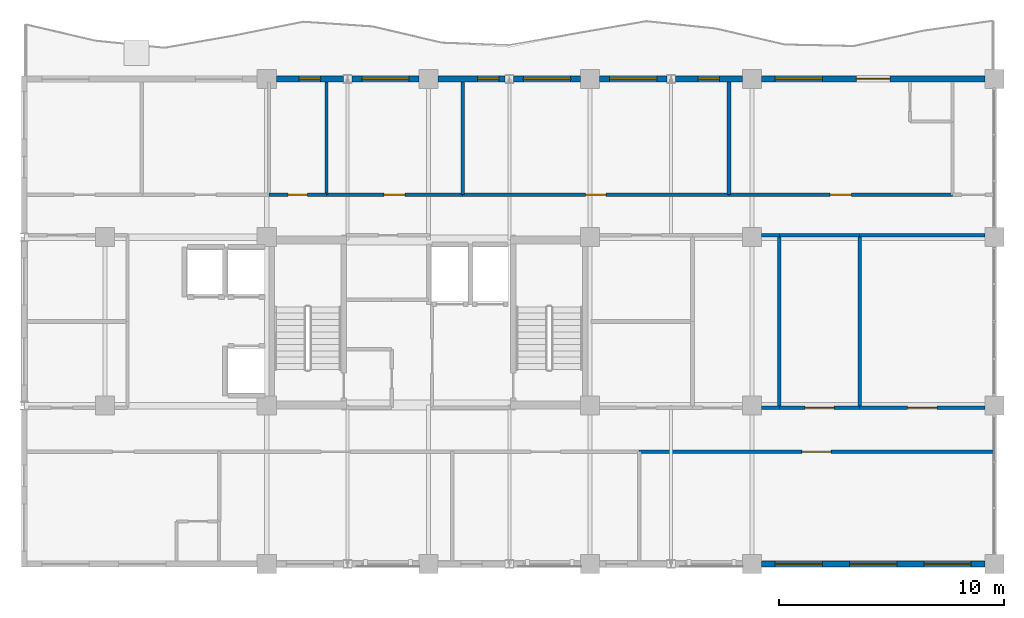
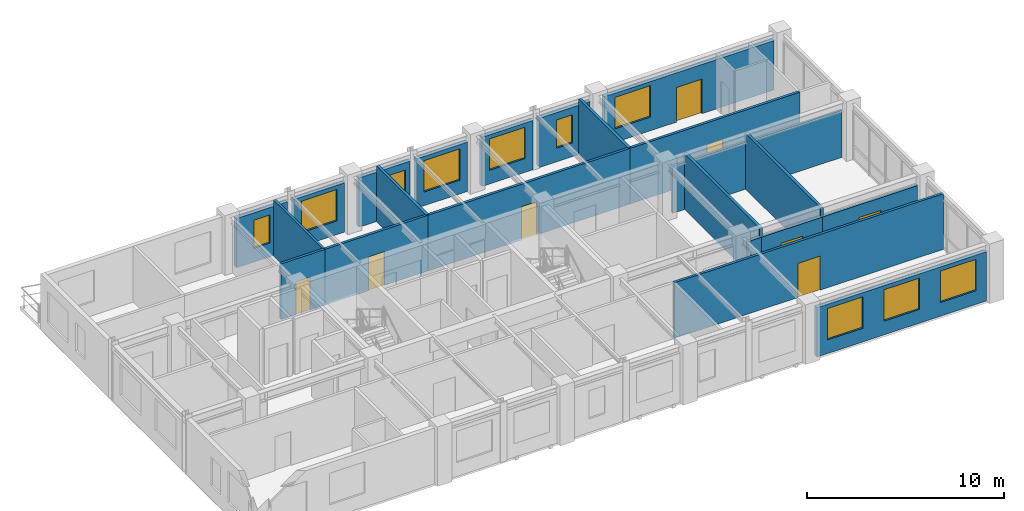
# One storey, part 8 of 11: 24 walls, 10 windows, 8 doors, 18 openings.
"""IFC4 building model written with IfcOpenShell, lengths in metres."""

from ifc_helpers import new_model, si_unit, direction, frame, frame_2d, origin, place, context, subcontext, project, spatial, rectangle, extrude, material, layer, layer_set, type_object, element, fill, save


model = new_model("IFC4")

# Units and contexts
model_context = context("Model", 3, precision=1e-05, world=origin(), true_north=direction((0.0, 1.0)))
body_context = subcontext(model_context, "Body", "Model", "MODEL_VIEW")
ifc_project = project(units=[si_unit("LENGTHUNIT", "METRE"), si_unit("AREAUNIT", "SQUARE_METRE"), si_unit("VOLUMEUNIT", "CUBIC_METRE"), si_unit("PLANEANGLEUNIT", "RADIAN"), si_unit("MASSUNIT", "GRAM", prefix="KILO")], contexts=[model_context])

# Site, building, storey
site_placement = place(None, origin())
site = spatial("IfcSite", under=ifc_project, at=site_placement, CompositionType="ELEMENT")
building_placement = place(site_placement, origin())
building = spatial("IfcBuilding", under=site, at=building_placement, Name="Kaliganga Portal Commons", CompositionType="ELEMENT")
storey_placement = place(building_placement, frame((0.0, 0.0, 257.300048828125)))
storey = spatial("IfcBuildingStorey", under=building, at=storey_placement, Name="L66", CompositionType="ELEMENT", Elevation=257.300048828125)

# Wall, openings, windows
ifc_material_1 = material(Name="Insulated Aluminium-Clad Spandrel Assembly", Category="aluminium")
ifc_layer_1 = layer(ifc_material_1, 0.260009765625)
ifc_layer_set_1 = layer_set([ifc_layer_1], Name="Insulated Aluminium-Clad Spandrel Assembly")
wall_type_1 = type_object("IfcWallType", Name="WL-EXT-SPAND-260", PredefinedType="STANDARD", material=ifc_layer_set_1)
wall_1_placement = place(storey_placement, frame((46.3740234375, 21.60009765625, 0.0), z_axis=(0.0, 0.0, 1.0), x_axis=(-1.0, 0.0, 0.0)))
wall_1 = element("IfcWall", 1, at=wall_1_placement, inside=storey, type_object=wall_type_1, Name="Exterior Envelope Wall L66 P1-E00-S8", PredefinedType="STANDARD", context=body_context, shape_type="SweptSolid", body=[
    extrude(rectangle(XDim=9.947998046875, YDim=0.260009765625, at=frame_2d((4.97412109375, 0.0))), origin(), (0.0, 0.0, 1.0), 3.054931640625),
])
opening_1_placement = place(wall_1_placement, frame((0.60791015625, 0.0, 0.85009765625)))
opening_1 = element("IfcOpeningElement", 2, at=opening_1_placement, cuts=wall_1, Name="Opening W-06", PredefinedType="OPENING", context=body_context, shape_type="SweptSolid", body=[
    extrude(rectangle(XDim=2.10009765625, YDim=1.949951171875, at=frame_2d((1.050048828125, 0.97509765625))), frame((0.0, 0.14013671875, 0.0), z_axis=(0.0, -1.0, 0.0), x_axis=(1.0, 0.0, 0.0)), (0.0, 0.0, 1.0), 0.280029296875),
])
opening_2_placement = place(wall_1_placement, frame((3.924072265625, 0.0, 0.85009765625)))
opening_2 = element("IfcOpeningElement", 3, at=opening_2_placement, cuts=wall_1, Name="Opening W-06", PredefinedType="OPENING", context=body_context, shape_type="SweptSolid", body=[
    extrude(rectangle(XDim=2.10009765625, YDim=1.949951171875, at=frame_2d((1.050048828125, 0.97509765625))), frame((0.0, 0.14013671875, 0.0), z_axis=(0.0, -1.0, 0.0), x_axis=(1.0, 0.0, 0.0)), (0.0, 0.0, 1.0), 0.280029296875),
])
opening_3_placement = place(wall_1_placement, frame((7.239990234375, 0.0, 0.85009765625)))
opening_3 = element("IfcOpeningElement", 4, at=opening_3_placement, cuts=wall_1, Name="Opening W-06", PredefinedType="OPENING", context=body_context, shape_type="SweptSolid", body=[
    extrude(rectangle(XDim=2.10009765625, YDim=1.949951171875, at=frame_2d((1.050048828125, 0.97509765625))), frame((0.0, 0.14013671875, 0.0), z_axis=(0.0, -1.0, 0.0), x_axis=(1.0, 0.0, 0.0)), (0.0, 0.0, 1.0), 0.280029296875),
])
ifc_material_2 = material(Name="Thermally Broken Aluminium and Low-E Double Glazing", Category="aluminium")
window_type_1 = type_object("IfcWindowType", Name="WIN-PAN-2100", PartitioningType="DOUBLE_PANEL_VERTICAL", PredefinedType="WINDOW", material=ifc_material_2)
window_1_placement = place(opening_1_placement, origin())
window_1 = element("IfcWindow", 5, at=window_1_placement, inside=storey, type_object=window_type_1, Name="Facade Window L66-P1E00S8-00", OverallHeight=1.949951171875, OverallWidth=2.10009765625, PartitioningType="SINGLE_PANEL", PredefinedType="WINDOW", context=body_context, shape_type="SweptSolid", body=[
    extrude(rectangle(XDim=2.10009765625, YDim=1.949951171875, at=frame_2d((1.050048828125, 0.97509765625))), frame((0.0, 0.030029296875, 0.0), z_axis=(0.0, -1.0, 0.0), x_axis=(1.0, 0.0, 0.0)), (0.0, 0.0, 1.0), 0.06005859375),
])
fill(opening_1, window_1)
window_2_placement = place(opening_2_placement, origin())
window_2 = element("IfcWindow", 6, at=window_2_placement, inside=storey, type_object=window_type_1, Name="Facade Window L66-P1E00S8-01", OverallHeight=1.949951171875, OverallWidth=2.10009765625, PartitioningType="SINGLE_PANEL", PredefinedType="WINDOW", context=body_context, shape_type="SweptSolid", body=[
    extrude(rectangle(XDim=2.10009765625, YDim=1.949951171875, at=frame_2d((1.050048828125, 0.97509765625))), frame((0.0, 0.030029296875, 0.0), z_axis=(0.0, -1.0, 0.0), x_axis=(1.0, 0.0, 0.0)), (0.0, 0.0, 1.0), 0.06005859375),
])
fill(opening_2, window_2)
window_3_placement = place(opening_3_placement, origin())
window_3 = element("IfcWindow", 7, at=window_3_placement, inside=storey, type_object=window_type_1, Name="Facade Window L66-P1E00S8-02", OverallHeight=1.949951171875, OverallWidth=2.10009765625, PartitioningType="SINGLE_PANEL", PredefinedType="WINDOW", context=body_context, shape_type="SweptSolid", body=[
    extrude(rectangle(XDim=2.10009765625, YDim=1.949951171875, at=frame_2d((1.050048828125, 0.97509765625))), frame((0.0, 0.030029296875, 0.0), z_axis=(0.0, -1.0, 0.0), x_axis=(1.0, 0.0, 0.0)), (0.0, 0.0, 1.0), 0.06005859375),
])
fill(opening_3, window_3)

# Wall, openings, door, window
wall_2_placement = place(storey_placement, frame((36.426025390625, 43.199951171875, 0.0), z_axis=(0.0, 0.0, 1.0), x_axis=(1.0, 0.0, 0.0)))
wall_2 = element("IfcWall", 8, at=wall_2_placement, inside=storey, type_object=wall_type_1, Name="Exterior Envelope Wall L66 P1-E02-S1", PredefinedType="STANDARD", context=body_context, shape_type="SweptSolid", body=[
    extrude(rectangle(XDim=9.947998046875, YDim=0.260009765625, at=frame_2d((4.97412109375, 0.0))), origin(), (0.0, 0.0, 1.0), 3.054931640625),
])
opening_4_placement = place(wall_2_placement, frame((4.22412109375, 0.0, 0.0)))
opening_4 = element("IfcOpeningElement", 9, at=opening_4_placement, cuts=wall_2, Name="Opening BD-01", PredefinedType="OPENING", context=body_context, shape_type="SweptSolid", body=[
    extrude(rectangle(XDim=1.5, YDim=2.14990234375, at=frame_2d((0.75, 1.074951171875))), frame((0.0, 0.14013671875, 0.0), z_axis=(0.0, -1.0, 0.0), x_axis=(1.0, 0.0, 0.0)), (0.0, 0.0, 1.0), 0.280029296875),
])
opening_5_placement = place(wall_2_placement, frame((0.60791015625, 0.0, 0.85009765625)))
opening_5 = element("IfcOpeningElement", 10, at=opening_5_placement, cuts=wall_2, Name="Opening W-06", PredefinedType="OPENING", context=body_context, shape_type="SweptSolid", body=[
    extrude(rectangle(XDim=2.10009765625, YDim=1.949951171875, at=frame_2d((1.050048828125, 0.97509765625))), frame((0.0, 0.14013671875, 0.0), z_axis=(0.0, -1.0, 0.0), x_axis=(1.0, 0.0, 0.0)), (0.0, 0.0, 1.0), 0.280029296875),
])
ifc_material_3 = material(Name="Anodized Aluminium and Laminated Safety Glass", Category="aluminium")
door_type_1 = type_object("IfcDoorType", Name="DR-BALC-1500", OperationType="SLIDING_TO_LEFT", PredefinedType="DOOR", material=ifc_material_3)
door_1_placement = place(opening_4_placement, origin())
door_1 = element("IfcDoor", 11, at=door_1_placement, inside=storey, type_object=door_type_1, Name="Balcony Sliding Door L66 balc_north", OperationType="SLIDING_TO_LEFT", OverallHeight=2.14990234375, OverallWidth=1.5, PredefinedType="DOOR", context=body_context, shape_type="SweptSolid", body=[
    extrude(rectangle(XDim=1.5, YDim=2.14990234375, at=frame_2d((0.75, 1.074951171875))), frame((0.0, 0.02490234375, 0.0), z_axis=(0.0, -1.0, 0.0), x_axis=(1.0, 0.0, 0.0)), (0.0, 0.0, 1.0), 0.050048828125),
])
fill(opening_4, door_1)
window_4_placement = place(opening_5_placement, origin())
window_4 = element("IfcWindow", 12, at=window_4_placement, inside=storey, type_object=window_type_1, Name="Facade Window L66-P1E02S1-00", OverallHeight=1.949951171875, OverallWidth=2.10009765625, PartitioningType="SINGLE_PANEL", PredefinedType="WINDOW", context=body_context, shape_type="SweptSolid", body=[
    extrude(rectangle(XDim=2.10009765625, YDim=1.949951171875, at=frame_2d((1.050048828125, 0.97509765625))), frame((0.0, 0.030029296875, 0.0), z_axis=(0.0, -1.0, 0.0), x_axis=(1.0, 0.0, 0.0)), (0.0, 0.0, 1.0), 0.06005859375),
])
fill(opening_5, window_4)

# Wall, opening, window
wall_3_placement = place(storey_placement, frame((32.587890625, 43.199951171875, 0.0), z_axis=(0.0, 0.0, 1.0), x_axis=(1.0, 0.0, 0.0)))
wall_3 = element("IfcWall", 13, at=wall_3_placement, inside=storey, type_object=wall_type_1, Name="Exterior Envelope Wall L66 P1-E02-S2", PredefinedType="STANDARD", context=body_context, shape_type="SweptSolid", body=[
    extrude(rectangle(XDim=2.986083984375, YDim=0.260009765625, at=frame_2d((1.4931640625, 0.0))), origin(), (0.0, 0.0, 1.0), 3.054931640625),
])
opening_6_placement = place(wall_3_placement, frame((1.01806640625, 0.0, 0.85009765625)))
opening_6 = element("IfcOpeningElement", 14, at=opening_6_placement, cuts=wall_3, Name="Opening W-04", PredefinedType="OPENING", context=body_context, shape_type="SweptSolid", body=[
    extrude(rectangle(XDim=0.949951171875, YDim=1.75, at=frame_2d((0.47509765625, 0.875))), frame((0.0, 0.14013671875, 0.0), z_axis=(0.0, -1.0, 0.0), x_axis=(1.0, 0.0, 0.0)), (0.0, 0.0, 1.0), 0.280029296875),
])
window_type_2 = type_object("IfcWindowType", Name="WIN-NARROW-950", PartitioningType="SINGLE_PANEL", PredefinedType="WINDOW", material=ifc_material_2)
window_5_placement = place(opening_6_placement, origin())
window_5 = element("IfcWindow", 15, at=window_5_placement, inside=storey, type_object=window_type_2, Name="Facade Window L66-P1E02S2-N0", OverallHeight=1.75, OverallWidth=0.949951171875, PartitioningType="SINGLE_PANEL", PredefinedType="WINDOW", context=body_context, shape_type="SweptSolid", body=[
    extrude(rectangle(XDim=0.949951171875, YDim=1.75, at=frame_2d((0.47509765625, 0.875))), frame((0.0, 0.030029296875, 0.0), z_axis=(0.0, -1.0, 0.0), x_axis=(1.0, 0.0, 0.0)), (0.0, 0.0, 1.0), 0.06005859375),
])
fill(opening_6, window_5)

wall_4_placement = place(storey_placement, frame((29.22607421875, 43.199951171875, 0.0), z_axis=(0.0, 0.0, 1.0), x_axis=(1.0, 0.0, 0.0)))
wall_4 = element("IfcWall", 16, at=wall_4_placement, inside=storey, type_object=wall_type_1, Name="Exterior Envelope Wall L66 P1-E02-S3", PredefinedType="STANDARD", context=body_context, shape_type="SweptSolid", body=[
    extrude(rectangle(XDim=2.98583984375, YDim=0.260009765625, at=frame_2d((1.492919921875, 0.0))), origin(), (0.0, 0.0, 1.0), 3.054931640625),
])
opening_7_placement = place(wall_4_placement, frame((0.443115234375, 0.0, 0.85009765625)))
opening_7 = element("IfcOpeningElement", 17, at=opening_7_placement, cuts=wall_4, Name="Opening W-06", PredefinedType="OPENING", context=body_context, shape_type="SweptSolid", body=[
    extrude(rectangle(XDim=2.10009765625, YDim=1.949951171875, at=frame_2d((1.050048828125, 0.97509765625))), frame((0.0, 0.14013671875, 0.0), z_axis=(0.0, -1.0, 0.0), x_axis=(1.0, 0.0, 0.0)), (0.0, 0.0, 1.0), 0.280029296875),
])
window_6_placement = place(opening_7_placement, origin())
window_6 = element("IfcWindow", 18, at=window_6_placement, inside=storey, type_object=window_type_1, Name="Facade Window L66-P1E02S3-00", OverallHeight=1.949951171875, OverallWidth=2.10009765625, PartitioningType="SINGLE_PANEL", PredefinedType="WINDOW", context=body_context, shape_type="SweptSolid", body=[
    extrude(rectangle(XDim=2.10009765625, YDim=1.949951171875, at=frame_2d((1.050048828125, 0.97509765625))), frame((0.0, 0.030029296875, 0.0), z_axis=(0.0, -1.0, 0.0), x_axis=(1.0, 0.0, 0.0)), (0.0, 0.0, 1.0), 0.06005859375),
])
fill(opening_7, window_6)

wall_5_placement = place(storey_placement, frame((25.387939453125, 43.199951171875, 0.0), z_axis=(0.0, 0.0, 1.0), x_axis=(1.0, 0.0, 0.0)))
wall_5 = element("IfcWall", 19, at=wall_5_placement, inside=storey, type_object=wall_type_1, Name="Exterior Envelope Wall L66 P1-E02-S4", PredefinedType="STANDARD", context=body_context, shape_type="SweptSolid", body=[
    extrude(rectangle(XDim=2.986083984375, YDim=0.260009765625, at=frame_2d((1.4931640625, 0.0))), origin(), (0.0, 0.0, 1.0), 3.054931640625),
])
opening_8_placement = place(wall_5_placement, frame((0.443115234375, 0.0, 0.85009765625)))
opening_8 = element("IfcOpeningElement", 20, at=opening_8_placement, cuts=wall_5, Name="Opening W-06", PredefinedType="OPENING", context=body_context, shape_type="SweptSolid", body=[
    extrude(rectangle(XDim=2.10009765625, YDim=1.949951171875, at=frame_2d((1.050048828125, 0.97509765625))), frame((0.0, 0.14013671875, 0.0), z_axis=(0.0, -1.0, 0.0), x_axis=(1.0, 0.0, 0.0)), (0.0, 0.0, 1.0), 0.280029296875),
])
window_7_placement = place(opening_8_placement, origin())
window_7 = element("IfcWindow", 21, at=window_7_placement, inside=storey, type_object=window_type_1, Name="Facade Window L66-P1E02S4-00", OverallHeight=1.949951171875, OverallWidth=2.10009765625, PartitioningType="SINGLE_PANEL", PredefinedType="WINDOW", context=body_context, shape_type="SweptSolid", body=[
    extrude(rectangle(XDim=2.10009765625, YDim=1.949951171875, at=frame_2d((1.050048828125, 0.97509765625))), frame((0.0, 0.030029296875, 0.0), z_axis=(0.0, -1.0, 0.0), x_axis=(1.0, 0.0, 0.0)), (0.0, 0.0, 1.0), 0.06005859375),
])
fill(opening_8, window_7)

wall_6_placement = place(storey_placement, frame((22.02587890625, 43.199951171875, 0.0), z_axis=(0.0, 0.0, 1.0), x_axis=(1.0, 0.0, 0.0)))
wall_6 = element("IfcWall", 22, at=wall_6_placement, inside=storey, type_object=wall_type_1, Name="Exterior Envelope Wall L66 P1-E02-S5", PredefinedType="STANDARD", context=body_context, shape_type="SweptSolid", body=[
    extrude(rectangle(XDim=2.986083984375, YDim=0.260009765625, at=frame_2d((1.4931640625, 0.0))), origin(), (0.0, 0.0, 1.0), 3.054931640625),
])
opening_9_placement = place(wall_6_placement, frame((1.758544921875, 0.0, 0.85009765625)))
opening_9 = element("IfcOpeningElement", 23, at=opening_9_placement, cuts=wall_6, Name="Opening W-04", PredefinedType="OPENING", context=body_context, shape_type="SweptSolid", body=[
    extrude(rectangle(XDim=0.949951171875, YDim=1.75, at=frame_2d((0.47509765625, 0.875))), frame((0.0, 0.14013671875, 0.0), z_axis=(0.0, -1.0, 0.0), x_axis=(1.0, 0.0, 0.0)), (0.0, 0.0, 1.0), 0.280029296875),
])
window_8_placement = place(opening_9_placement, origin())
window_8 = element("IfcWindow", 24, at=window_8_placement, inside=storey, type_object=window_type_2, Name="Facade Window L66-P1E02S5-N2", OverallHeight=1.75, OverallWidth=0.949951171875, PartitioningType="SINGLE_PANEL", PredefinedType="WINDOW", context=body_context, shape_type="SweptSolid", body=[
    extrude(rectangle(XDim=0.949951171875, YDim=1.75, at=frame_2d((0.47509765625, 0.875))), frame((0.0, 0.030029296875, 0.0), z_axis=(0.0, -1.0, 0.0), x_axis=(1.0, 0.0, 0.0)), (0.0, 0.0, 1.0), 0.06005859375),
])
fill(opening_9, window_8)

wall_7_placement = place(storey_placement, frame((18.18798828125, 43.199951171875, 0.0), z_axis=(0.0, 0.0, 1.0), x_axis=(1.0, 0.0, 0.0)))
wall_7 = element("IfcWall", 25, at=wall_7_placement, inside=storey, type_object=wall_type_1, Name="Exterior Envelope Wall L66 P1-E02-S6", PredefinedType="STANDARD", context=body_context, shape_type="SweptSolid", body=[
    extrude(rectangle(XDim=2.986083984375, YDim=0.260009765625, at=frame_2d((1.4931640625, 0.0))), origin(), (0.0, 0.0, 1.0), 3.054931640625),
])
opening_10_placement = place(wall_7_placement, frame((0.443115234375, 0.0, 0.85009765625)))
opening_10 = element("IfcOpeningElement", 26, at=opening_10_placement, cuts=wall_7, Name="Opening W-06", PredefinedType="OPENING", context=body_context, shape_type="SweptSolid", body=[
    extrude(rectangle(XDim=2.10009765625, YDim=1.949951171875, at=frame_2d((1.050048828125, 0.97509765625))), frame((0.0, 0.14013671875, 0.0), z_axis=(0.0, -1.0, 0.0), x_axis=(1.0, 0.0, 0.0)), (0.0, 0.0, 1.0), 0.280029296875),
])
window_9_placement = place(opening_10_placement, origin())
window_9 = element("IfcWindow", 27, at=window_9_placement, inside=storey, type_object=window_type_1, Name="Facade Window L66-P1E02S6-00", OverallHeight=1.949951171875, OverallWidth=2.10009765625, PartitioningType="SINGLE_PANEL", PredefinedType="WINDOW", context=body_context, shape_type="SweptSolid", body=[
    extrude(rectangle(XDim=2.10009765625, YDim=1.949951171875, at=frame_2d((1.050048828125, 0.97509765625))), frame((0.0, 0.030029296875, 0.0), z_axis=(0.0, -1.0, 0.0), x_axis=(1.0, 0.0, 0.0)), (0.0, 0.0, 1.0), 0.06005859375),
])
fill(opening_10, window_9)

wall_8_placement = place(storey_placement, frame((14.825927734375, 43.199951171875, 0.0), z_axis=(0.0, 0.0, 1.0), x_axis=(1.0, 0.0, 0.0)))
wall_8 = element("IfcWall", 28, at=wall_8_placement, inside=storey, type_object=wall_type_1, Name="Exterior Envelope Wall L66 P1-E02-S7", PredefinedType="STANDARD", context=body_context, shape_type="SweptSolid", body=[
    extrude(rectangle(XDim=2.986083984375, YDim=0.260009765625, at=frame_2d((1.4931640625, 0.0))), origin(), (0.0, 0.0, 1.0), 3.054931640625),
])
opening_11_placement = place(wall_8_placement, frame((1.01806640625, 0.0, 0.85009765625)))
opening_11 = element("IfcOpeningElement", 29, at=opening_11_placement, cuts=wall_8, Name="Opening W-04", PredefinedType="OPENING", context=body_context, shape_type="SweptSolid", body=[
    extrude(rectangle(XDim=0.949951171875, YDim=1.75, at=frame_2d((0.47509765625, 0.875))), frame((0.0, 0.14013671875, 0.0), z_axis=(0.0, -1.0, 0.0), x_axis=(1.0, 0.0, 0.0)), (0.0, 0.0, 1.0), 0.280029296875),
])
window_10_placement = place(opening_11_placement, origin())
window_10 = element("IfcWindow", 30, at=window_10_placement, inside=storey, type_object=window_type_2, Name="Facade Window L66-P1E02S7-N0", OverallHeight=1.75, OverallWidth=0.949951171875, PartitioningType="SINGLE_PANEL", PredefinedType="WINDOW", context=body_context, shape_type="SweptSolid", body=[
    extrude(rectangle(XDim=0.949951171875, YDim=1.75, at=frame_2d((0.47509765625, 0.875))), frame((0.0, 0.030029296875, 0.0), z_axis=(0.0, -1.0, 0.0), x_axis=(1.0, 0.0, 0.0)), (0.0, 0.0, 1.0), 0.06005859375),
])
fill(opening_11, window_10)

# Wall, opening, door
ifc_material_4 = material(Name="Fire-Rated Gypsum Board on Steel Stud", Category="steel")
ifc_layer_2 = layer(ifc_material_4, 0.14990234375)
ifc_layer_set_2 = layer_set([ifc_layer_2], Name="Fire-Rated Gypsum Board on Steel Stud")
wall_type_2 = type_object("IfcWallType", Name="WL-PART-CORR-150", PredefinedType="PARTITIONING", material=ifc_layer_set_2)
wall_9_placement = place(storey_placement, frame((30.97998046875, 26.60009765625, 0.0), z_axis=(0.0, 0.0, 1.0), x_axis=(1.0, 0.0, 0.0)))
wall_9 = element("IfcWall", 31, at=wall_9_placement, inside=storey, type_object=wall_type_2, Name="Interior Partition L66-007", PredefinedType="PARTITIONING", context=body_context, shape_type="SweptSolid", body=[
    extrude(rectangle(XDim=15.800048828125, YDim=0.14990234375, at=frame_2d((7.89990234375, 0.0))), origin(), (0.0, 0.0, 1.0), 3.454833984375),
])
opening_12_placement = place(wall_9_placement, frame((7.25, 0.0, 0.0)))
opening_12 = element("IfcOpeningElement", 32, at=opening_12_placement, cuts=wall_9, Name="Opening RD-03", PredefinedType="OPENING", context=body_context, shape_type="SweptSolid", body=[
    extrude(rectangle(XDim=1.300048828125, YDim=2.1201171875, at=frame_2d((0.64990234375, 1.06005859375))), frame((0.0, 0.0849609375, 0.0), z_axis=(0.0, -1.0, 0.0), x_axis=(1.0, 0.0, 0.0)), (0.0, 0.0, 1.0), 0.169921875),
])
ifc_material_5 = material(Name="Glazed Timber Seminar Vision Door", Category="wood")
door_type_2 = type_object("IfcDoorType", Name="DR-STUDY-1300", OperationType="DOUBLE_DOOR_SINGLE_SWING", PredefinedType="DOOR", material=ifc_material_5)
door_2_placement = place(opening_12_placement, origin())
door_2 = element("IfcDoor", 33, at=door_2_placement, inside=storey, type_object=door_type_2, Name="Interior Door L66-AS04", OperationType="DOUBLE_DOOR_SINGLE_SWING", OverallHeight=2.1201171875, OverallWidth=1.300048828125, PredefinedType="DOOR", context=body_context, shape_type="SweptSolid", body=[
    extrude(rectangle(XDim=1.300048828125, YDim=2.1201171875, at=frame_2d((0.64990234375, 1.06005859375))), frame((0.0, 0.02490234375, 0.0), z_axis=(0.0, -1.0, 0.0), x_axis=(1.0, 0.0, 0.0)), (0.0, 0.0, 1.0), 0.050048828125),
])
fill(opening_12, door_2)

wall_10_placement = place(storey_placement, frame((23.1201171875, 38.0400390625, 0.0), z_axis=(0.0, 0.0, 1.0), x_axis=(1.0, 0.0, 0.0)))
wall_10 = element("IfcWall", 34, at=wall_10_placement, inside=storey, type_object=wall_type_2, Name="Interior Partition L66-008", PredefinedType="PARTITIONING", context=body_context, shape_type="SweptSolid", body=[
    extrude(rectangle(XDim=11.85986328125, YDim=0.14990234375, at=frame_2d((5.929931640625, 0.0))), origin(), (0.0, 0.0, 1.0), 3.454833984375),
])
opening_13_placement = place(wall_10_placement, frame((5.47998046875, 0.0, 0.0)))
opening_13 = element("IfcOpeningElement", 35, at=opening_13_placement, cuts=wall_10, Name="Opening RD-01", PredefinedType="OPENING", context=body_context, shape_type="SweptSolid", body=[
    extrude(rectangle(XDim=0.89990234375, YDim=2.080078125, at=frame_2d((0.449951171875, 1.0400390625))), frame((0.0, 0.0849609375, 0.0), z_axis=(0.0, -1.0, 0.0), x_axis=(1.0, 0.0, 0.0)), (0.0, 0.0, 1.0), 0.169921875),
])
ifc_material_6 = material(Name="Engineered Timber Flush Door", Category="wood")
door_type_3 = type_object("IfcDoorType", Name="DR-ROOM-900", OperationType="NOTDEFINED", PredefinedType="DOOR", material=ifc_material_6)
door_3_placement = place(opening_13_placement, origin())
door_3 = element("IfcDoor", 36, at=door_3_placement, inside=storey, type_object=door_type_3, Name="Interior Door L66-AN05", OperationType="SINGLE_SWING_RIGHT", OverallHeight=2.080078125, OverallWidth=0.89990234375, PredefinedType="DOOR", context=body_context, shape_type="SweptSolid", body=[
    extrude(rectangle(XDim=0.89990234375, YDim=2.080078125, at=frame_2d((0.449951171875, 1.0400390625))), frame((0.0, 0.02490234375, 0.0), z_axis=(0.0, -1.0, 0.0), x_axis=(1.0, 0.0, 0.0)), (0.0, 0.0, 1.0), 0.050048828125),
])
fill(opening_13, door_3)

wall_11_placement = place(storey_placement, frame((34.97998046875, 38.0400390625, 0.0), z_axis=(0.0, 0.0, 1.0), x_axis=(1.0, 0.0, 0.0)))
wall_11 = element("IfcWall", 37, at=wall_11_placement, inside=storey, type_object=wall_type_2, Name="Interior Partition L66-010", PredefinedType="PARTITIONING", context=body_context, shape_type="SweptSolid", body=[
    extrude(rectangle(XDim=9.9599609375, YDim=0.14990234375, at=frame_2d((4.97998046875, 0.0))), origin(), (0.0, 0.0, 1.0), 3.454833984375),
])
opening_14_placement = place(wall_11_placement, frame((4.5048828125, 0.0, 0.0)))
opening_14 = element("IfcOpeningElement", 38, at=opening_14_placement, cuts=wall_11, Name="Opening UD-01", PredefinedType="OPENING", context=body_context, shape_type="SweptSolid", body=[
    extrude(rectangle(XDim=0.949951171875, YDim=2.10009765625, at=frame_2d((0.47509765625, 1.050048828125))), frame((0.0, 0.0849609375, 0.0), z_axis=(0.0, -1.0, 0.0), x_axis=(1.0, 0.0, 0.0)), (0.0, 0.0, 1.0), 0.169921875),
])
ifc_material_7 = material(Name="Solid-Core Timber Acoustic Fire Door", Category="wood")
door_type_4 = type_object("IfcDoorType", Name="DR-UNIT-950", OperationType="NOTDEFINED", PredefinedType="DOOR", material=ifc_material_7)
door_4_placement = place(opening_14_placement, origin())
door_4 = element("IfcDoor", 39, at=door_4_placement, inside=storey, type_object=door_type_4, Name="Interior Door L66-AN06", OperationType="SINGLE_SWING_RIGHT", OverallHeight=2.10009765625, OverallWidth=0.949951171875, PredefinedType="DOOR", context=body_context, shape_type="SweptSolid", body=[
    extrude(rectangle(XDim=0.949951171875, YDim=2.10009765625, at=frame_2d((0.47509765625, 1.050048828125))), frame((0.0, 0.02490234375, 0.0), z_axis=(0.0, -1.0, 0.0), x_axis=(1.0, 0.0, 0.0)), (0.0, 0.0, 1.0), 0.050048828125),
])
fill(opening_14, door_4)

wall_12_placement = place(storey_placement, frame((17.06005859375, 38.0400390625, 0.0), z_axis=(0.0, 0.0, 1.0), x_axis=(1.0, 0.0, 0.0)))
wall_12 = element("IfcWall", 40, at=wall_12_placement, inside=storey, type_object=wall_type_2, Name="Interior Partition L66-013", PredefinedType="PARTITIONING", context=body_context, shape_type="SweptSolid", body=[
    extrude(rectangle(XDim=6.06005859375, YDim=0.14990234375, at=frame_2d((3.030029296875, 0.0))), origin(), (0.0, 0.0, 1.0), 3.454833984375),
])
opening_15_placement = place(wall_12_placement, frame((2.554931640625, 0.0, 0.0)))
opening_15 = element("IfcOpeningElement", 41, at=opening_15_placement, cuts=wall_12, Name="Opening UD-01", PredefinedType="OPENING", context=body_context, shape_type="SweptSolid", body=[
    extrude(rectangle(XDim=0.949951171875, YDim=2.10009765625, at=frame_2d((0.47509765625, 1.050048828125))), frame((0.0, 0.0849609375, 0.0), z_axis=(0.0, -1.0, 0.0), x_axis=(1.0, 0.0, 0.0)), (0.0, 0.0, 1.0), 0.169921875),
])
door_5_placement = place(opening_15_placement, origin())
door_5 = element("IfcDoor", 42, at=door_5_placement, inside=storey, type_object=door_type_4, Name="Interior Door L66-AN04", OperationType="SINGLE_SWING_LEFT", OverallHeight=2.10009765625, OverallWidth=0.949951171875, PredefinedType="DOOR", context=body_context, shape_type="SweptSolid", body=[
    extrude(rectangle(XDim=0.949951171875, YDim=2.10009765625, at=frame_2d((0.47509765625, 1.050048828125))), frame((0.0, 0.02490234375, 0.0), z_axis=(0.0, -1.0, 0.0), x_axis=(1.0, 0.0, 0.0)), (0.0, 0.0, 1.0), 0.050048828125),
])
fill(opening_15, door_5)

wall_13_placement = place(storey_placement, frame((40.800048828125, 28.56005859375, 0.0), z_axis=(0.0, 0.0, 1.0), x_axis=(1.0, 0.0, 0.0)))
wall_13 = element("IfcWall", 43, at=wall_13_placement, inside=storey, type_object=wall_type_2, Name="Interior Partition L66-014", PredefinedType="PARTITIONING", context=body_context, shape_type="SweptSolid", body=[
    extrude(rectangle(XDim=5.574951171875, YDim=0.14990234375, at=frame_2d((2.78759765625, 0.0))), origin(), (0.0, 0.0, 1.0), 2.905029296875),
])
opening_16_placement = place(wall_13_placement, frame((2.137451171875, 0.0, 0.0)))
opening_16 = element("IfcOpeningElement", 44, at=opening_16_placement, cuts=wall_13, Name="Opening RD-03", PredefinedType="OPENING", context=body_context, shape_type="SweptSolid", body=[
    extrude(rectangle(XDim=1.300048828125, YDim=2.1201171875, at=frame_2d((0.64990234375, 1.06005859375))), frame((0.0, 0.0849609375, 0.0), z_axis=(0.0, -1.0, 0.0), x_axis=(1.0, 0.0, 0.0)), (0.0, 0.0, 1.0), 0.169921875),
])
door_6_placement = place(opening_16_placement, origin())
door_6 = element("IfcDoor", 45, at=door_6_placement, inside=storey, type_object=door_type_2, Name="Interior Door L66-AE03", OperationType="DOUBLE_DOOR_SINGLE_SWING", OverallHeight=2.1201171875, OverallWidth=1.300048828125, PredefinedType="DOOR", context=body_context, shape_type="SweptSolid", body=[
    extrude(rectangle(XDim=1.300048828125, YDim=2.1201171875, at=frame_2d((0.64990234375, 1.06005859375))), frame((0.0, 0.02490234375, 0.0), z_axis=(0.0, -1.0, 0.0), x_axis=(1.0, 0.0, 0.0)), (0.0, 0.0, 1.0), 0.050048828125),
])
fill(opening_16, door_6)

# Walls
wall_14_placement = place(storey_placement, frame((40.800048828125, 36.239990234375, 0.0), z_axis=(0.0, 0.0, 1.0), x_axis=(1.0, 0.0, 0.0)))
element("IfcWall", 46, at=wall_14_placement, inside=storey, type_object=wall_type_2, Name="Interior Partition L66-015", PredefinedType="PARTITIONING", context=body_context, shape_type="SweptSolid", body=[
    extrude(rectangle(XDim=5.574951171875, YDim=0.14990234375, at=frame_2d((2.78759765625, 0.0))), origin(), (0.0, 0.0, 1.0), 2.905029296875),
])
for number, where, z_axis, x_axis, name in (
    (47, (36.425048828125, 28.56005859375, 0.0), (0.0, 0.0, 1.0), (1.0, 0.0, 0.0), "Interior Partition L66-025"),
    (48, (36.425048828125, 36.239990234375, 0.0), (0.0, 0.0, 1.0), (1.0, 0.0, 0.0), "Interior Partition L66-027"),
):
    element("IfcWall", number, at=place(storey_placement, frame(where, z_axis=z_axis, x_axis=x_axis)), inside=storey, type_object=wall_type_2, Name=name, PredefinedType="PARTITIONING", context=body_context, shape_type="SweptSolid", body=[
        extrude(rectangle(XDim=0.794921875, YDim=0.14990234375, at=frame_2d((0.3974609375, 0.0))), origin(), (0.0, 0.0, 1.0), 2.905029296875),
    ])

# Wall, opening, door
wall_15_placement = place(storey_placement, frame((37.219970703125, 28.56005859375, 0.0), z_axis=(0.0, 0.0, 1.0), x_axis=(1.0, 0.0, 0.0)))
wall_15 = element("IfcWall", 49, at=wall_15_placement, inside=storey, type_object=wall_type_2, Name="Interior Partition L66-031", PredefinedType="PARTITIONING", context=body_context, shape_type="SweptSolid", body=[
    extrude(rectangle(XDim=3.580078125, YDim=0.14990234375, at=frame_2d((1.7900390625, 0.0))), origin(), (0.0, 0.0, 1.0), 2.905029296875),
])
opening_17_placement = place(wall_15_placement, frame((1.139892578125, 0.0, 0.0)))
opening_17 = element("IfcOpeningElement", 50, at=opening_17_placement, cuts=wall_15, Name="Opening RD-03", PredefinedType="OPENING", context=body_context, shape_type="SweptSolid", body=[
    extrude(rectangle(XDim=1.300048828125, YDim=2.1201171875, at=frame_2d((0.64990234375, 1.06005859375))), frame((0.0, 0.0849609375, 0.0), z_axis=(0.0, -1.0, 0.0), x_axis=(1.0, 0.0, 0.0)), (0.0, 0.0, 1.0), 0.169921875),
])
door_7_placement = place(opening_17_placement, origin())
door_7 = element("IfcDoor", 51, at=door_7_placement, inside=storey, type_object=door_type_2, Name="Interior Door L66-AE02", OperationType="DOUBLE_DOOR_SINGLE_SWING", OverallHeight=2.1201171875, OverallWidth=1.300048828125, PredefinedType="DOOR", context=body_context, shape_type="SweptSolid", body=[
    extrude(rectangle(XDim=1.300048828125, YDim=2.1201171875, at=frame_2d((0.64990234375, 1.06005859375))), frame((0.0, 0.02490234375, 0.0), z_axis=(0.0, -1.0, 0.0), x_axis=(1.0, 0.0, 0.0)), (0.0, 0.0, 1.0), 0.050048828125),
])
fill(opening_17, door_7)

# Wall
wall_16_placement = place(storey_placement, frame((37.219970703125, 36.239990234375, 0.0), z_axis=(0.0, 0.0, 1.0), x_axis=(1.0, 0.0, 0.0)))
element("IfcWall", 52, at=wall_16_placement, inside=storey, type_object=wall_type_2, Name="Interior Partition L66-032", PredefinedType="PARTITIONING", context=body_context, shape_type="SweptSolid", body=[
    extrude(rectangle(XDim=3.580078125, YDim=0.14990234375, at=frame_2d((1.7900390625, 0.0))), origin(), (0.0, 0.0, 1.0), 2.905029296875),
])

# Wall, opening, door
wall_17_placement = place(storey_placement, frame((14.5, 38.0400390625, 0.0), z_axis=(0.0, 0.0, 1.0), x_axis=(1.0, 0.0, 0.0)))
wall_17 = element("IfcWall", 53, at=wall_17_placement, inside=storey, type_object=wall_type_2, Name="Interior Partition L66-034", PredefinedType="PARTITIONING", context=body_context, shape_type="SweptSolid", body=[
    extrude(rectangle(XDim=2.56005859375, YDim=0.14990234375, at=frame_2d((1.280029296875, 0.0))), origin(), (0.0, 0.0, 1.0), 3.454833984375),
])
opening_18_placement = place(wall_17_placement, frame((0.85498046875, 0.0, 0.0)))
opening_18 = element("IfcOpeningElement", 54, at=opening_18_placement, cuts=wall_17, Name="Opening WD-01", PredefinedType="OPENING", context=body_context, shape_type="SweptSolid", body=[
    extrude(rectangle(XDim=0.85009765625, YDim=2.0400390625, at=frame_2d((0.425048828125, 1.02001953125))), frame((0.0, 0.0849609375, 0.0), z_axis=(0.0, -1.0, 0.0), x_axis=(1.0, 0.0, 0.0)), (0.0, 0.0, 1.0), 0.169921875),
])
ifc_material_8 = material(Name="Moisture-Resistant Laminate Timber Door", Category="wood")
door_type_5 = type_object("IfcDoorType", Name="DR-WET-850", OperationType="NOTDEFINED", PredefinedType="DOOR", material=ifc_material_8)
door_8_placement = place(opening_18_placement, origin())
door_8 = element("IfcDoor", 55, at=door_8_placement, inside=storey, type_object=door_type_5, Name="Interior Door L66-AN03", OperationType="SINGLE_SWING_LEFT", OverallHeight=2.0400390625, OverallWidth=0.85009765625, PredefinedType="DOOR", context=body_context, shape_type="SweptSolid", body=[
    extrude(rectangle(XDim=0.85009765625, YDim=2.0400390625, at=frame_2d((0.425048828125, 1.02001953125))), frame((0.0, 0.02490234375, 0.0), z_axis=(0.0, -1.0, 0.0), x_axis=(1.0, 0.0, 0.0)), (0.0, 0.0, 1.0), 0.050048828125),
])
fill(opening_18, door_8)

# Walls
ifc_material_9 = material(Name="Twin-Stud Acoustic Gypsum Partition", Category="gypsum")
ifc_layer_3 = layer(ifc_material_9, 0.1650390625)
ifc_layer_set_3 = layer_set([ifc_layer_3], Name="Twin-Stud Acoustic Gypsum Partition")
wall_type_3 = type_object("IfcWallType", Name="WL-PART-UNIT-165", PredefinedType="PARTITIONING", material=ifc_layer_set_3)
for number, where, z_axis, x_axis, name in (
    (56, (37.219970703125, 28.56005859375, 0.0), (0.0, 0.0, 1.0), (0.0, 1.0, 0.0), "Interior Partition L66-040"),
    (57, (40.800048828125, 28.56005859375, 0.0), (0.0, 0.0, 1.0), (0.0, 1.0, 0.0), "Interior Partition L66-041"),
):
    element("IfcWall", number, at=place(storey_placement, frame(where, z_axis=z_axis, x_axis=x_axis)), inside=storey, type_object=wall_type_3, Name=name, PredefinedType="PARTITIONING", context=body_context, shape_type="SweptSolid", body=[
        extrude(rectangle(XDim=7.679931640625, YDim=0.1650390625, at=frame_2d((3.83984375, 0.0))), origin(), (0.0, 0.0, 1.0), 3.454833984375),
    ])
for number, where, z_axis, x_axis, name in (
    (58, (23.1201171875, 38.0400390625, 0.0), (0.0, 0.0, 1.0), (0.0, 1.0, 0.0), "Interior Partition L66-045"),
    (59, (34.97998046875, 38.0400390625, 0.0), (0.0, 0.0, 1.0), (0.0, 1.0, 0.0), "Interior Partition L66-046"),
):
    element("IfcWall", number, at=place(storey_placement, frame(where, z_axis=z_axis, x_axis=x_axis)), inside=storey, type_object=wall_type_3, Name=name, PredefinedType="PARTITIONING", context=body_context, shape_type="SweptSolid", body=[
        extrude(rectangle(XDim=5.028076171875, YDim=0.1650390625, at=frame_2d((2.51416015625, 0.0))), origin(), (0.0, 0.0, 1.0), 3.454833984375),
    ])
ifc_material_10 = material(Name="Cement-Board Wet-Room Partition", Category="gypsum")
ifc_layer_4 = layer(ifc_material_10, 0.135009765625)
ifc_layer_set_4 = layer_set([ifc_layer_4], Name="Cement-Board Wet-Room Partition")
wall_type_4 = type_object("IfcWallType", Name="WL-PART-WET-135", PredefinedType="PARTITIONING", material=ifc_layer_set_4)
wall_18_placement = place(storey_placement, frame((17.06005859375, 38.0400390625, 0.0), z_axis=(0.0, 0.0, 1.0), x_axis=(0.0, 1.0, 0.0)))
element("IfcWall", 60, at=wall_18_placement, inside=storey, type_object=wall_type_4, Name="Interior Partition L66-044", PredefinedType="PARTITIONING", context=body_context, shape_type="SweptSolid", body=[
    extrude(rectangle(XDim=5.028076171875, YDim=0.135009765625, at=frame_2d((2.51416015625, 0.0))), origin(), (0.0, 0.0, 1.0), 3.454833984375),
])

save(model, "model.ifc")
